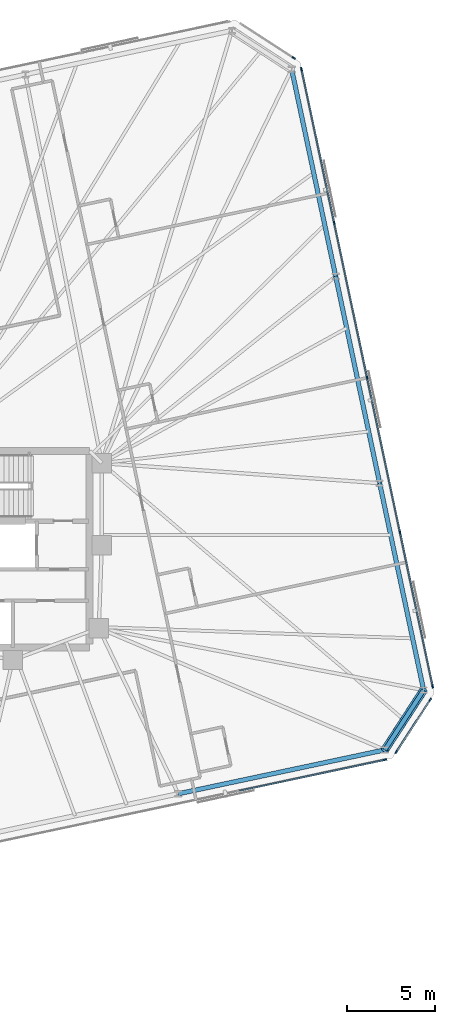
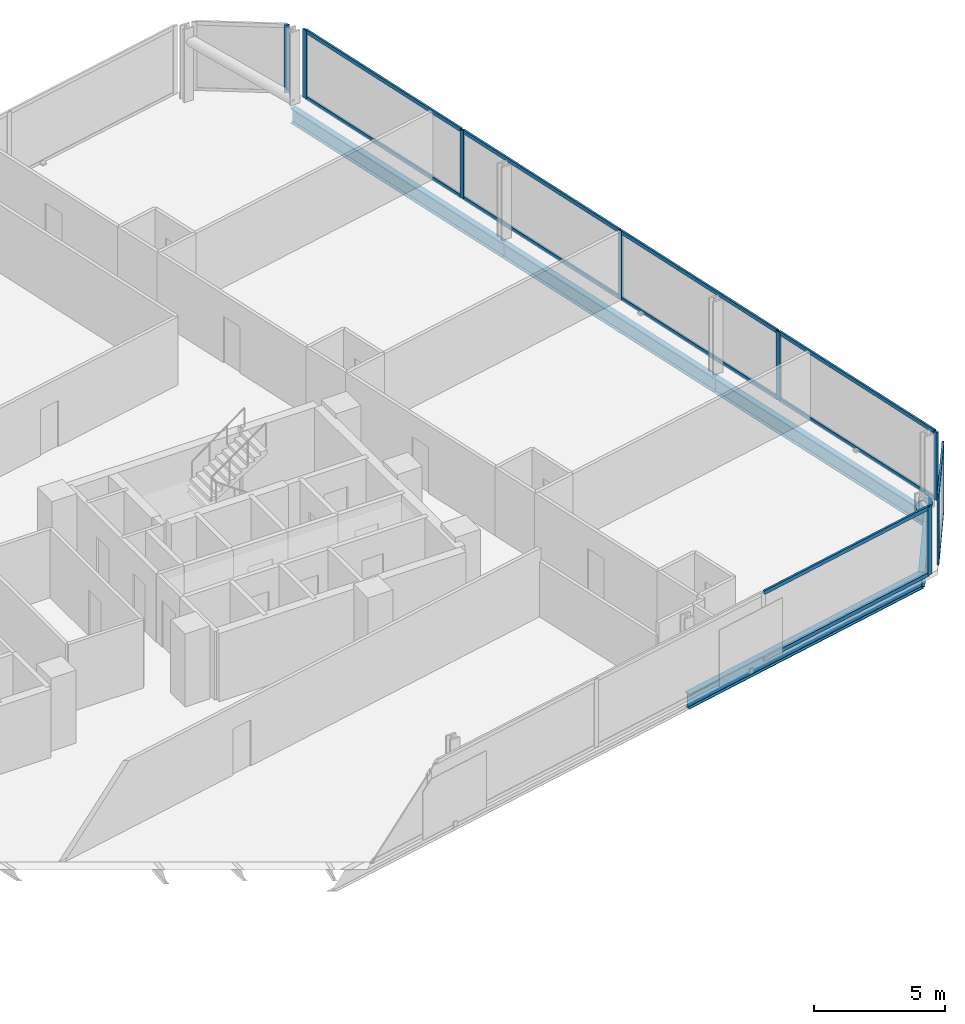
# One storey, part 12 of 19: 22 members, 5 beams, 4 elements without a shape of their own.
"""IFC4 building model written with IfcOpenShell, lengths in metres."""

from ifc_helpers import new_model, si_unit, direction, frame, origin, origin_2d, place, context, subcontext, project, spatial, rectangle, hollow_circle, i_section, extrude, material, material_profile, profile_set, type_object, element, aggregate, save


model = new_model("IFC4")

# Units and contexts
model_context = context("Model", 3, precision=1e-05, world=origin(), true_north=direction((0.0, 1.0)))
body_context = subcontext(model_context, "Body", "Model", "MODEL_VIEW")
ifc_project = project(units=[si_unit("LENGTHUNIT", "METRE"), si_unit("AREAUNIT", "SQUARE_METRE"), si_unit("VOLUMEUNIT", "CUBIC_METRE"), si_unit("PLANEANGLEUNIT", "RADIAN"), si_unit("MASSUNIT", "GRAM", prefix="KILO")], contexts=[model_context])

# Site, building, storey
site_placement = place(None, origin())
site = spatial("IfcSite", under=ifc_project, at=site_placement, CompositionType="ELEMENT")
building_placement = place(site_placement, origin())
building = spatial("IfcBuilding", under=site, at=building_placement, Name="Menara Jurai Vektor", CompositionType="ELEMENT")
storey_placement = place(building_placement, frame((0.0, 0.0, 151.39990234375)))
storey = spatial("IfcBuildingStorey", under=building, at=storey_placement, Name="L38", CompositionType="ELEMENT", Elevation=151.39990234375)

# Curtain wall, member
ifc_material_1 = material(Name="Anodised Pale Aluminium & Low-E Double Glazing", Category="aluminium")
curtain_wall_type = type_object("IfcCurtainWallType", Name="CW-BLK3", PredefinedType="NOTDEFINED", material=ifc_material_1)
curtain_wall_1_placement = place(storey_placement, origin())
curtain_wall_1 = element("IfcCurtainWall", 1, at=curtain_wall_1_placement, inside=storey, type_object=curtain_wall_type, Name="Unitised Curtain Wall L38 F01", PredefinedType="NOTDEFINED")
ifc_material_2 = material(Name="Anodised Pale Aluminium Mullion", Category="aluminium")
ifc_material_profile_1 = material_profile(ifc_material_2, rectangle(XDim=0.0849609375, YDim=0.205078125, at=origin_2d()), Name="ALU MUL 85x205")
ifc_profile_set_1 = profile_set([ifc_material_profile_1], Name="Anodised Pale Aluminium Mullion")
member_type_1 = type_object("IfcMemberType", Name="CW-BLK3-MUL", PredefinedType="MULLION", material=ifc_profile_set_1)
member_1_placement = place(storey_placement, frame((31.392578125, -11.99755859375, 0.0), z_axis=(0.0, 0.0, 1.0), x_axis=(-0.207911344156, 0.978147674419, 0.0)))
member_1 = element("IfcMember", 2, at=member_1_placement, type_object=member_type_1, Name="CW-03 mullion 8", PredefinedType="MULLION", context=body_context, shape_type="SweptSolid", body=[
    extrude(rectangle(XDim=0.0849609375, YDim=0.205078125, at=origin_2d()), origin(), (0.0, 0.0, 1.0), 3.175048828125),
])

# Curtain wall, members
curtain_wall_2_placement = place(storey_placement, origin())
curtain_wall_2 = element("IfcCurtainWall", 3, at=curtain_wall_2_placement, inside=storey, type_object=curtain_wall_type, Name="Unitised Curtain Wall L38 F02", PredefinedType="NOTDEFINED")
member_2_placement = place(storey_placement, frame((32.035888671875, -11.555419921875, 0.0), z_axis=(0.0, 0.0, 1.0), x_axis=(-0.838684361415, 0.544617794346, 0.0)))
member_2 = element("IfcMember", 4, at=member_2_placement, type_object=member_type_1, Name="CW-03 mullion 1", PredefinedType="MULLION", context=body_context, shape_type="SweptSolid", body=[
    extrude(rectangle(XDim=0.0849609375, YDim=0.205078125, at=origin_2d()), origin(), (0.0, 0.0, 1.0), 3.175048828125),
])
member_3_placement = place(storey_placement, frame((33.96337890625, -8.587158203125, 0.0), z_axis=(0.0, 0.0, 1.0), x_axis=(-0.838684361415, 0.544617794346, 0.0)))
member_3 = element("IfcMember", 5, at=member_3_placement, type_object=member_type_1, Name="CW-03 mullion 2", PredefinedType="MULLION", context=body_context, shape_type="SweptSolid", body=[
    extrude(rectangle(XDim=0.0849609375, YDim=0.205078125, at=origin_2d()), origin(), (0.0, 0.0, 1.0), 3.175048828125),
])

curtain_wall_3_placement = place(storey_placement, origin())
curtain_wall_3 = element("IfcCurtainWall", 6, at=curtain_wall_3_placement, inside=storey, type_object=curtain_wall_type, Name="Unitised Curtain Wall L38 F03", PredefinedType="NOTDEFINED")
member_4_placement = place(storey_placement, frame((34.105712890625, -7.819580078125, 0.0), z_axis=(0.0, 0.0, 1.0), x_axis=(-0.978147883949, -0.20791035839, 0.0)))
member_4 = element("IfcMember", 7, at=member_4_placement, type_object=member_type_1, Name="CW-03 mullion 1", PredefinedType="MULLION", context=body_context, shape_type="SweptSolid", body=[
    extrude(rectangle(XDim=0.0849609375, YDim=0.205078125, at=origin_2d()), origin(), (0.0, 0.0, 1.0), 3.175048828125),
])
member_5_placement = place(storey_placement, frame((32.2412109375, 0.951904296875, 0.0), z_axis=(0.0, 0.0, 1.0), x_axis=(-0.978147883949, -0.20791035839, 0.0)))
member_5 = element("IfcMember", 8, at=member_5_placement, type_object=member_type_1, Name="CW-03 mullion 2", PredefinedType="MULLION", context=body_context, shape_type="SweptSolid", body=[
    extrude(rectangle(XDim=0.0849609375, YDim=0.205078125, at=origin_2d()), origin(), (0.0, 0.0, 1.0), 3.175048828125),
])
member_6_placement = place(storey_placement, frame((30.367919921875, 9.76513671875, 0.0), z_axis=(0.0, 0.0, 1.0), x_axis=(-0.978147883949, -0.20791035839, 0.0)))
member_6 = element("IfcMember", 9, at=member_6_placement, type_object=member_type_1, Name="CW-03 mullion 3", PredefinedType="MULLION", context=body_context, shape_type="SweptSolid", body=[
    extrude(rectangle(XDim=0.0849609375, YDim=0.205078125, at=origin_2d()), origin(), (0.0, 0.0, 1.0), 3.175048828125),
])
member_7_placement = place(storey_placement, frame((28.49462890625, 18.578125, 0.0), z_axis=(0.0, 0.0, 1.0), x_axis=(-0.978147883949, -0.20791035839, 0.0)))
member_7 = element("IfcMember", 10, at=member_7_placement, type_object=member_type_1, Name="CW-03 mullion 4", PredefinedType="MULLION", context=body_context, shape_type="SweptSolid", body=[
    extrude(rectangle(XDim=0.0849609375, YDim=0.205078125, at=origin_2d()), origin(), (0.0, 0.0, 1.0), 3.175048828125),
])
member_8_placement = place(storey_placement, frame((26.630126953125, 27.349609375, 0.0), z_axis=(0.0, 0.0, 1.0), x_axis=(-0.978147883949, -0.20791035839, 0.0)))
member_8 = element("IfcMember", 11, at=member_8_placement, type_object=member_type_1, Name="CW-03 mullion 5", PredefinedType="MULLION", context=body_context, shape_type="SweptSolid", body=[
    extrude(rectangle(XDim=0.0849609375, YDim=0.205078125, at=origin_2d()), origin(), (0.0, 0.0, 1.0), 3.175048828125),
])

# Curtain wall, member
curtain_wall_4_placement = place(storey_placement, origin())
curtain_wall_4 = element("IfcCurtainWall", 12, at=curtain_wall_4_placement, inside=storey, type_object=curtain_wall_type, Name="Unitised Curtain Wall L38 F04", PredefinedType="NOTDEFINED")
member_9_placement = place(storey_placement, frame((26.18798828125, 27.9931640625, 0.0), z_axis=(0.0, 0.0, 1.0), x_axis=(-0.544617794346, -0.838684361415, 0.0)))
member_9 = element("IfcMember", 13, at=member_9_placement, type_object=member_type_1, Name="CW-03 mullion 1", PredefinedType="MULLION", context=body_context, shape_type="SweptSolid", body=[
    extrude(rectangle(XDim=0.0849609375, YDim=0.205078125, at=origin_2d()), origin(), (0.0, 0.0, 1.0), 3.175048828125),
])
aggregate(curtain_wall_4, [member_9])

# Member
ifc_material_3 = material(Name="Anodised Pale Aluminium Transom", Category="aluminium")
ifc_material_profile_2 = material_profile(ifc_material_3, rectangle(XDim=0.0849609375, YDim=0.175048828125, at=origin_2d()), Name="ALU TRN 85x175")
ifc_profile_set_2 = profile_set([ifc_material_profile_2], Name="Anodised Pale Aluminium Transom")
member_type_2 = type_object("IfcMemberType", Name="CW-BLK3-TRN", PredefinedType="USERDEFINED", material=ifc_profile_set_2)
member_10_placement = place(storey_placement, frame((23.0859375, -13.76318359375, 0.04248046875), z_axis=(0.978146953428, 0.207914736128, 0.0), x_axis=(-0.207914736128, 0.978146953428, 0.0)))
member_10 = element("IfcMember", 14, at=member_10_placement, type_object=member_type_2, Name="CW-03 transom 7.1", ObjectType="TRANSOM", PredefinedType="USERDEFINED", context=body_context, shape_type="SweptSolid", body=[
    extrude(rectangle(XDim=0.0849609375, YDim=0.175048828125, at=origin_2d()), origin(), (0.0, 0.0, 1.0), 8.44970703125),
])

member_11_placement = place(storey_placement, frame((23.0859375, -13.76318359375, 3.132568359375), z_axis=(0.978146953428, 0.207914736128, 0.0), x_axis=(-0.207914736128, 0.978146953428, 0.0)))
member_11 = element("IfcMember", 15, at=member_11_placement, type_object=member_type_2, Name="CW-03 transom 7.2", ObjectType="TRANSOM", PredefinedType="USERDEFINED", context=body_context, shape_type="SweptSolid", body=[
    extrude(rectangle(XDim=0.0849609375, YDim=0.175048828125, at=origin_2d()), origin(), (0.0, 0.0, 1.0), 8.44970703125),
])

aggregate(curtain_wall_1, [member_1, member_10, member_11])

member_12_placement = place(storey_placement, frame((32.05908203125, -11.519775390625, 0.04248046875), z_axis=(0.54459575764, 0.838698671014, 0.0), x_axis=(-0.838698671014, 0.54459575764, 0.0)))
member_12 = element("IfcMember", 16, at=member_12_placement, type_object=member_type_2, Name="CW-03 transom 1.1", ObjectType="TRANSOM", PredefinedType="USERDEFINED", context=body_context, shape_type="SweptSolid", body=[
    extrude(rectangle(XDim=0.0849609375, YDim=0.175048828125, at=origin_2d()), origin(), (0.0, 0.0, 1.0), 3.4541015625),
])

member_13_placement = place(storey_placement, frame((32.05908203125, -11.519775390625, 3.132568359375), z_axis=(0.54459575764, 0.838698671014, 0.0), x_axis=(-0.838698671014, 0.54459575764, 0.0)))
member_13 = element("IfcMember", 17, at=member_13_placement, type_object=member_type_2, Name="CW-03 transom 1.2", ObjectType="TRANSOM", PredefinedType="USERDEFINED", context=body_context, shape_type="SweptSolid", body=[
    extrude(rectangle(XDim=0.0849609375, YDim=0.175048828125, at=origin_2d()), origin(), (0.0, 0.0, 1.0), 3.4541015625),
])

aggregate(curtain_wall_2, [member_2, member_3, member_12, member_13])

member_14_placement = place(storey_placement, frame((34.096923828125, -7.778076171875, 0.04248046875), z_axis=(-0.207925814542, 0.978144598537, 0.0), x_axis=(-0.978144598537, -0.207925814542, 0.0)))
member_14 = element("IfcMember", 18, at=member_14_placement, type_object=member_type_2, Name="CW-03 transom 1.1", ObjectType="TRANSOM", PredefinedType="USERDEFINED", context=body_context, shape_type="SweptSolid", body=[
    extrude(rectangle(XDim=0.0849609375, YDim=0.175048828125, at=origin_2d()), origin(), (0.0, 0.0, 1.0), 8.882568359375),
])

member_15_placement = place(storey_placement, frame((34.096923828125, -7.778076171875, 3.132568359375), z_axis=(-0.207925814542, 0.978144598537, 0.0), x_axis=(-0.978144598537, -0.207925814542, 0.0)))
member_15 = element("IfcMember", 19, at=member_15_placement, type_object=member_type_2, Name="CW-03 transom 1.2", ObjectType="TRANSOM", PredefinedType="USERDEFINED", context=body_context, shape_type="SweptSolid", body=[
    extrude(rectangle(XDim=0.0849609375, YDim=0.175048828125, at=origin_2d()), origin(), (0.0, 0.0, 1.0), 8.882568359375),
])

member_16_placement = place(storey_placement, frame((32.232421875, 0.993408203125, 0.04248046875), z_axis=(-0.207922224243, 0.978145361726, 0.0), x_axis=(-0.978145361726, -0.207922224243, 0.0)))
member_16 = element("IfcMember", 20, at=member_16_placement, type_object=member_type_2, Name="CW-03 transom 2.1", ObjectType="TRANSOM", PredefinedType="USERDEFINED", context=body_context, shape_type="SweptSolid", body=[
    extrude(rectangle(XDim=0.0849609375, YDim=0.175048828125, at=origin_2d()), origin(), (0.0, 0.0, 1.0), 8.925048828125),
])

member_17_placement = place(storey_placement, frame((32.232421875, 0.993408203125, 3.132568359375), z_axis=(-0.207922224243, 0.978145361726, 0.0), x_axis=(-0.978145361726, -0.207922224243, 0.0)))
member_17 = element("IfcMember", 21, at=member_17_placement, type_object=member_type_2, Name="CW-03 transom 2.2", ObjectType="TRANSOM", PredefinedType="USERDEFINED", context=body_context, shape_type="SweptSolid", body=[
    extrude(rectangle(XDim=0.0849609375, YDim=0.175048828125, at=origin_2d()), origin(), (0.0, 0.0, 1.0), 8.925048828125),
])

member_18_placement = place(storey_placement, frame((30.359130859375, 9.806640625, 0.04248046875), z_axis=(-0.207922224243, 0.978145361726, 0.0), x_axis=(-0.978145361726, -0.207922224243, 0.0)))
member_18 = element("IfcMember", 22, at=member_18_placement, type_object=member_type_2, Name="CW-03 transom 3.1", ObjectType="TRANSOM", PredefinedType="USERDEFINED", context=body_context, shape_type="SweptSolid", body=[
    extrude(rectangle(XDim=0.0849609375, YDim=0.175048828125, at=origin_2d()), origin(), (0.0, 0.0, 1.0), 8.925048828125),
])

member_19_placement = place(storey_placement, frame((30.359130859375, 9.806640625, 3.132568359375), z_axis=(-0.207922224243, 0.978145361726, 0.0), x_axis=(-0.978145361726, -0.207922224243, 0.0)))
member_19 = element("IfcMember", 23, at=member_19_placement, type_object=member_type_2, Name="CW-03 transom 3.2", ObjectType="TRANSOM", PredefinedType="USERDEFINED", context=body_context, shape_type="SweptSolid", body=[
    extrude(rectangle(XDim=0.0849609375, YDim=0.175048828125, at=origin_2d()), origin(), (0.0, 0.0, 1.0), 8.925048828125),
])

member_20_placement = place(storey_placement, frame((28.48583984375, 18.61962890625, 0.04248046875), z_axis=(-0.207899517354, 0.978150188204, 0.0), x_axis=(-0.978150188204, -0.207899517354, 0.0)))
member_20 = element("IfcMember", 24, at=member_20_placement, type_object=member_type_2, Name="CW-03 transom 4.1", ObjectType="TRANSOM", PredefinedType="USERDEFINED", context=body_context, shape_type="SweptSolid", body=[
    extrude(rectangle(XDim=0.0849609375, YDim=0.175048828125, at=origin_2d()), origin(), (0.0, 0.0, 1.0), 8.882568359375),
])

member_21_placement = place(storey_placement, frame((28.48583984375, 18.61962890625, 3.132568359375), z_axis=(-0.207899517354, 0.978150188204, 0.0), x_axis=(-0.978150188204, -0.207899517354, 0.0)))
member_21 = element("IfcMember", 25, at=member_21_placement, type_object=member_type_2, Name="CW-03 transom 4.2", ObjectType="TRANSOM", PredefinedType="USERDEFINED", context=body_context, shape_type="SweptSolid", body=[
    extrude(rectangle(XDim=0.0849609375, YDim=0.175048828125, at=origin_2d()), origin(), (0.0, 0.0, 1.0), 8.882568359375),
])

aggregate(curtain_wall_3, [member_4, member_5, member_6, member_7, member_8, member_14, member_15, member_16, member_17, member_18, member_19, member_20, member_21])

ifc_material_4 = material(Name="Steel S460", Category="steel")
ifc_material_profile_3 = material_profile(ifc_material_4, hollow_circle(Radius=0.228515625, WallThickness=0.01611328125, at=origin_2d()), Name="CHS 457x16")
ifc_profile_set_3 = profile_set([ifc_material_profile_3], Name="Steel S460")
member_type_3 = type_object("IfcMemberType", Name="STR-BR-457", PredefinedType="BRACE", material=ifc_profile_set_3)
member_22_placement = place(storey_placement, frame((33.588623046875, -8.031982421875, 0.150146484375), z_axis=(-0.454871874024, -0.700428396616, 0.549992399435), x_axis=(0.838665998507, -0.544646071268, 0.0)))
element("IfcMember", 26, at=member_22_placement, inside=storey, type_object=member_type_3, Name="Exoskeleton Corner Brace L38-1", PredefinedType="BRACE", context=body_context, shape_type="SweptSolid", body=[
    extrude(hollow_circle(Radius=0.228515625, WallThickness=0.01611328125, at=origin_2d()), origin(), (0.0, 0.0, 1.0), 4.86376953125),
])

# Beams
ifc_material_profile_4 = material_profile(ifc_material_4, i_section(OverallWidth=0.256103515625, OverallDepth=0.693115234375, WebThickness=0.013916015625, FlangeThickness=0.02392578125, FilletRadius=0.014892578125, at=origin_2d()), Name="UKB 686x254x170")
ifc_profile_set_4 = profile_set([ifc_material_profile_4], Name="Steel S460")
beam_type = type_object("IfcBeamType", Name="STR-SP-686", PredefinedType="SPANDREL", material=ifc_profile_set_4)
beam_1_placement = place(storey_placement, frame((19.608154296875, -13.940185546875, -0.5712890625), z_axis=(0.97814616202, 0.207918459318, 0.0), x_axis=(-0.207918459318, 0.97814616202, 0.0)))
element("IfcBeam", 27, at=beam_1_placement, inside=storey, type_object=beam_type, Name="Exoskeleton Spandrel Beam L38-05", PredefinedType="SPANDREL", context=body_context, shape_type="SweptSolid", body=[
    extrude(i_section(OverallWidth=0.256103515625, OverallDepth=0.693115234375, WebThickness=0.013916015625, FlangeThickness=0.02392578125, FilletRadius=0.014892578125, at=origin_2d()), origin(), (0.0, 0.0, 1.0), 12.031005859375),
])
beam_2_placement = place(storey_placement, frame((31.376220703125, -11.438720703125, -0.5712890625), z_axis=(0.544646071268, 0.838665998507, 0.0), x_axis=(-0.838665998507, 0.544646071268, 0.0)))
element("IfcBeam", 28, at=beam_2_placement, inside=storey, type_object=beam_type, Name="Exoskeleton Spandrel Beam L38-06", PredefinedType="SPANDREL", context=body_context, shape_type="SweptSolid", body=[
    extrude(i_section(OverallWidth=0.256103515625, OverallDepth=0.693115234375, WebThickness=0.013916015625, FlangeThickness=0.02392578125, FilletRadius=0.014892578125, at=origin_2d()), origin(), (0.0, 0.0, 1.0), 4.06201171875),
])
beam_3_placement = place(storey_placement, frame((33.588623046875, -8.031982421875, -0.5712890625), z_axis=(-0.207925382659, 0.978144690343, 0.0), x_axis=(-0.978144690343, -0.207925382659, 0.0)))
element("IfcBeam", 29, at=beam_3_placement, inside=storey, type_object=beam_type, Name="Exoskeleton Spandrel Beam L38-07", PredefinedType="SPANDREL", context=body_context, shape_type="SweptSolid", body=[
    extrude(i_section(OverallWidth=0.256103515625, OverallDepth=0.693115234375, WebThickness=0.013916015625, FlangeThickness=0.02392578125, FilletRadius=0.014892578125, at=origin_2d()), origin(), (0.0, 0.0, 1.0), 12.0517578125),
])
for number, where, z_axis, x_axis, name in (
    (30, (31.082763671875, 3.75634765625, -0.5712890625), (-0.207901880993, 0.978149685825, 0.0), (-0.978149685825, -0.207901880993, 0.0), "Exoskeleton Spandrel Beam L38-08"),
    (31, (28.5771484375, 15.544921875, -0.5712890625), (-0.207921262698, 0.978145566119, 0.0), (-0.978145566119, -0.207921262698, 0.0), "Exoskeleton Spandrel Beam L38-09"),
):
    element("IfcBeam", number, at=place(storey_placement, frame(where, z_axis=z_axis, x_axis=x_axis)), inside=storey, type_object=beam_type, Name=name, PredefinedType="SPANDREL", context=body_context, shape_type="SweptSolid", body=[
        extrude(i_section(OverallWidth=0.256103515625, OverallDepth=0.693115234375, WebThickness=0.013916015625, FlangeThickness=0.02392578125, FilletRadius=0.014892578125, at=origin_2d()), origin(), (0.0, 0.0, 1.0), 12.052001953125),
    ])

save(model, "model.ifc")
